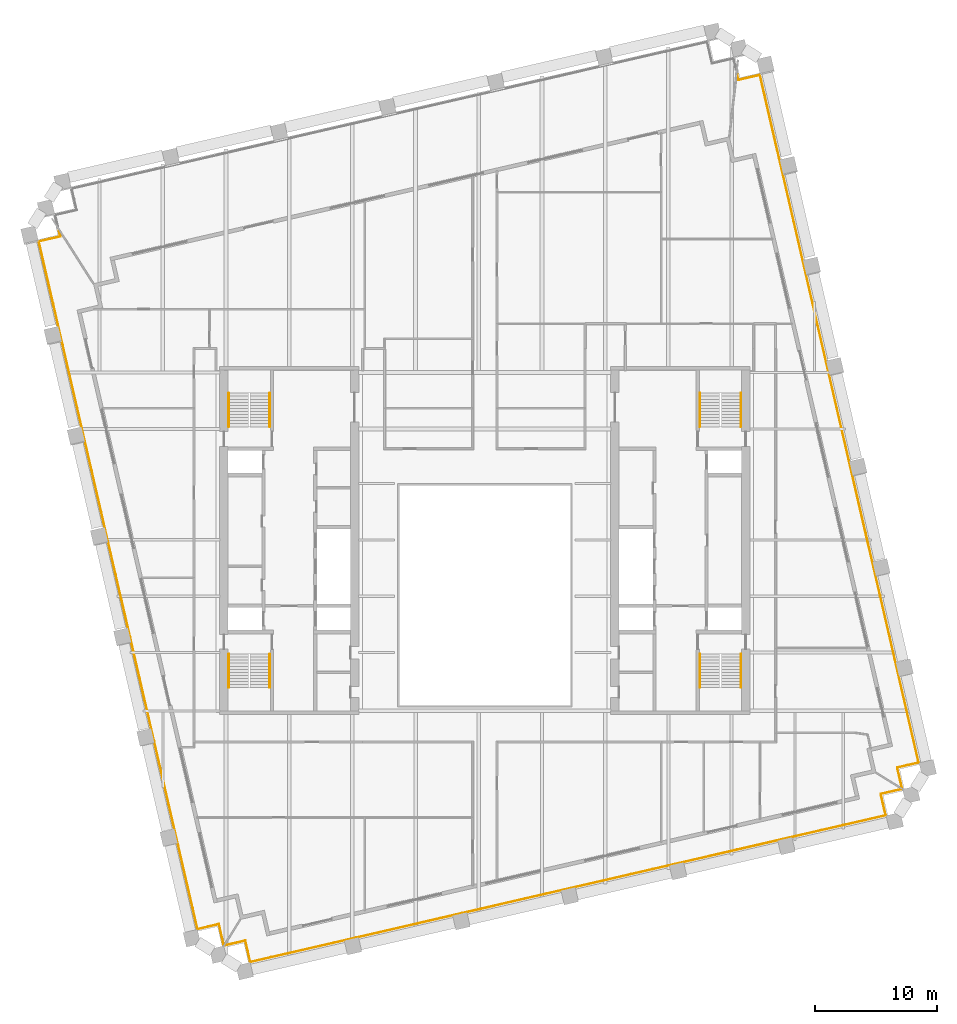
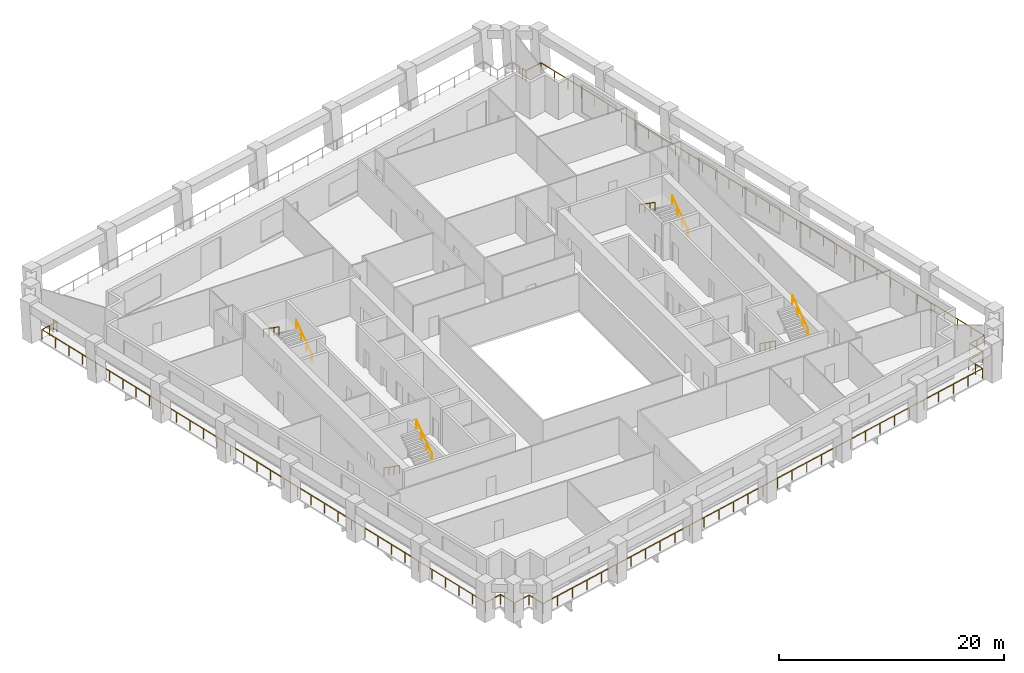
# One storey, part 10 of 11: 11 railings.
"""IFC4 building model written with IfcOpenShell, lengths in metres."""

from ifc_helpers import new_model, si_unit, direction, frame, origin, origin_2d, place, context, subcontext, project, spatial, circle, extrude, material, type_object, element, save


model = new_model("IFC4")

# Units and contexts
model_context = context("Model", 3, precision=1e-05, world=origin(), true_north=direction((0.0, 1.0)))
body_context = subcontext(model_context, "Body", "Model", "MODEL_VIEW")
ifc_project = project(units=[si_unit("LENGTHUNIT", "METRE"), si_unit("AREAUNIT", "SQUARE_METRE"), si_unit("VOLUMEUNIT", "CUBIC_METRE"), si_unit("PLANEANGLEUNIT", "RADIAN"), si_unit("MASSUNIT", "GRAM", prefix="KILO")], contexts=[model_context])

# Site, building, storey
site_placement = place(None, origin())
site = spatial("IfcSite", under=ifc_project, at=site_placement, CompositionType="ELEMENT")
building_placement = place(site_placement, origin())
building = spatial("IfcBuilding", under=site, at=building_placement, Name="Ogive Exchange Tower", CompositionType="ELEMENT")
storey_placement = place(building_placement, frame((0.0, 0.0, 217.800048828125)))
storey = spatial("IfcBuildingStorey", under=building, at=storey_placement, Name="L48", CompositionType="ELEMENT", Elevation=217.800048828125)

# Railings
ifc_material_1 = material(Name="Stainless steel 316", Category="steel")
railing_type_1 = type_object("IfcRailingType", Name="Guard 1100 stainless steel and glass", PredefinedType="GUARDRAIL", material=ifc_material_1)
railing_1_placement = place(storey_placement, frame((34.067138671875, -8.864013671875, -0.050048828125)))
element("IfcRailing", 1, at=railing_1_placement, inside=storey, type_object=railing_type_1, Name="Loggia guard 1", PredefinedType="GUARDRAIL", context=body_context, shape_type="SweptSolid", body=[
    extrude(circle(Radius=0.02392578125, at=origin_2d()), frame((0.0, 0.0, 1.076171875), z_axis=(-0.974364690374, -0.224974332206, 0.0), x_axis=(0.224974332206, -0.974364690374, 0.0)), (0.0, 0.0, 1.0), 1.7080078125),
    extrude(circle(Radius=0.02392578125, at=origin_2d()), frame((-1.664306640625, -0.38427734375, 1.076171875), z_axis=(0.224879318197, -0.974386623598, 0.0), x_axis=(0.974386623598, 0.224879318197, 0.0)), (0.0, 0.0, 1.0), 1.800048828125),
    extrude(circle(Radius=0.02392578125, at=origin_2d()), frame((-1.259521484375, -2.13818359375, 1.076171875), z_axis=(-0.97436998541, -0.224951398156, 0.0), x_axis=(0.224951398156, -0.97436998541, 0.0)), (0.0, 0.0, 1.0), 53.360107421875),
    extrude(circle(Radius=0.02392578125, at=origin_2d()), frame((-53.251953125, -14.1416015625, 1.076171875), z_axis=(-0.224879318197, 0.974386623598, 0.0), x_axis=(-0.974386623598, -0.224879318197, 0.0)), (0.0, 0.0, 1.0), 1.800048828125),
    extrude(circle(Radius=0.02392578125, at=origin_2d()), frame((-53.65673828125, -12.3876953125, 1.076171875), z_axis=(-0.974364690374, -0.224974332206, 0.0), x_axis=(0.224974332206, -0.974364690374, 0.0)), (0.0, 0.0, 1.0), 1.7080078125),
    extrude(circle(Radius=0.02099609375, at=origin_2d()), origin(), (0.0, 0.0, 1.0), 1.052001953125),
    extrude(circle(Radius=0.02099609375, at=origin_2d()), frame((-1.664306640625, -0.38427734375, 0.0)), (0.0, 0.0, 1.0), 1.052001953125),
    extrude(circle(Radius=0.02099609375, at=origin_2d()), frame((-1.4619140625, -1.26123046875, 0.0)), (0.0, 0.0, 1.0), 1.052001953125),
    extrude(circle(Radius=0.02099609375, at=origin_2d()), frame((-1.259521484375, -2.13818359375, 0.0)), (0.0, 0.0, 1.0), 1.052001953125),
    extrude(circle(Radius=0.02099609375, at=origin_2d()), frame((-2.99267578125, -2.538330078125, 0.0)), (0.0, 0.0, 1.0), 1.052001953125),
    extrude(circle(Radius=0.02099609375, at=origin_2d()), frame((-4.7255859375, -2.9384765625, 0.0)), (0.0, 0.0, 1.0), 1.052001953125),
    extrude(circle(Radius=0.02099609375, at=origin_2d()), frame((-6.458740234375, -3.338623046875, 0.0)), (0.0, 0.0, 1.0), 1.052001953125),
    extrude(circle(Radius=0.02099609375, at=origin_2d()), frame((-8.19189453125, -3.738525390625, 0.0)), (0.0, 0.0, 1.0), 1.052001953125),
    extrude(circle(Radius=0.02099609375, at=origin_2d()), frame((-9.9248046875, -4.138671875, 0.0)), (0.0, 0.0, 1.0), 1.052001953125),
    extrude(circle(Radius=0.02099609375, at=origin_2d()), frame((-11.657958984375, -4.538818359375, 0.0)), (0.0, 0.0, 1.0), 1.052001953125),
    extrude(circle(Radius=0.02099609375, at=origin_2d()), frame((-13.39111328125, -4.93896484375, 0.0)), (0.0, 0.0, 1.0), 1.052001953125),
    extrude(circle(Radius=0.02099609375, at=origin_2d()), frame((-15.124267578125, -5.339111328125, 0.0)), (0.0, 0.0, 1.0), 1.052001953125),
    extrude(circle(Radius=0.02099609375, at=origin_2d()), frame((-16.857177734375, -5.7392578125, 0.0)), (0.0, 0.0, 1.0), 1.052001953125),
    extrude(circle(Radius=0.02099609375, at=origin_2d()), frame((-18.59033203125, -6.139404296875, 0.0)), (0.0, 0.0, 1.0), 1.052001953125),
    extrude(circle(Radius=0.02099609375, at=origin_2d()), frame((-20.323486328125, -6.53955078125, 0.0)), (0.0, 0.0, 1.0), 1.052001953125),
    extrude(circle(Radius=0.02099609375, at=origin_2d()), frame((-22.056396484375, -6.939453125, 0.0)), (0.0, 0.0, 1.0), 1.052001953125),
    extrude(circle(Radius=0.02099609375, at=origin_2d()), frame((-23.78955078125, -7.339599609375, 0.0)), (0.0, 0.0, 1.0), 1.052001953125),
    extrude(circle(Radius=0.02099609375, at=origin_2d()), frame((-25.522705078125, -7.73974609375, 0.0)), (0.0, 0.0, 1.0), 1.052001953125),
    extrude(circle(Radius=0.02099609375, at=origin_2d()), frame((-27.255859375, -8.139892578125, 0.0)), (0.0, 0.0, 1.0), 1.052001953125),
    extrude(circle(Radius=0.02099609375, at=origin_2d()), frame((-28.98876953125, -8.5400390625, 0.0)), (0.0, 0.0, 1.0), 1.052001953125),
    extrude(circle(Radius=0.02099609375, at=origin_2d()), frame((-30.721923828125, -8.940185546875, 0.0)), (0.0, 0.0, 1.0), 1.052001953125),
    extrude(circle(Radius=0.02099609375, at=origin_2d()), frame((-32.455078125, -9.34033203125, 0.0)), (0.0, 0.0, 1.0), 1.052001953125),
    extrude(circle(Radius=0.02099609375, at=origin_2d()), frame((-34.18798828125, -9.740234375, 0.0)), (0.0, 0.0, 1.0), 1.052001953125),
    extrude(circle(Radius=0.02099609375, at=origin_2d()), frame((-35.921142578125, -10.140380859375, 0.0)), (0.0, 0.0, 1.0), 1.052001953125),
    extrude(circle(Radius=0.02099609375, at=origin_2d()), frame((-37.654296875, -10.54052734375, 0.0)), (0.0, 0.0, 1.0), 1.052001953125),
    extrude(circle(Radius=0.02099609375, at=origin_2d()), frame((-39.38720703125, -10.940673828125, 0.0)), (0.0, 0.0, 1.0), 1.052001953125),
    extrude(circle(Radius=0.02099609375, at=origin_2d()), frame((-41.120361328125, -11.3408203125, 0.0)), (0.0, 0.0, 1.0), 1.052001953125),
    extrude(circle(Radius=0.02099609375, at=origin_2d()), frame((-42.853515625, -11.740966796875, 0.0)), (0.0, 0.0, 1.0), 1.052001953125),
    extrude(circle(Radius=0.02099609375, at=origin_2d()), frame((-44.58642578125, -12.14111328125, 0.0)), (0.0, 0.0, 1.0), 1.052001953125),
    extrude(circle(Radius=0.02099609375, at=origin_2d()), frame((-46.319580078125, -12.541259765625, 0.0)), (0.0, 0.0, 1.0), 1.052001953125),
    extrude(circle(Radius=0.02099609375, at=origin_2d()), frame((-48.052734375, -12.941162109375, 0.0)), (0.0, 0.0, 1.0), 1.052001953125),
    extrude(circle(Radius=0.02099609375, at=origin_2d()), frame((-49.785888671875, -13.34130859375, 0.0)), (0.0, 0.0, 1.0), 1.052001953125),
    extrude(circle(Radius=0.02099609375, at=origin_2d()), frame((-51.518798828125, -13.741455078125, 0.0)), (0.0, 0.0, 1.0), 1.052001953125),
    extrude(circle(Radius=0.02099609375, at=origin_2d()), frame((-53.251953125, -14.1416015625, 0.0)), (0.0, 0.0, 1.0), 1.052001953125),
    extrude(circle(Radius=0.02099609375, at=origin_2d()), frame((-53.454345703125, -13.2646484375, 0.0)), (0.0, 0.0, 1.0), 1.052001953125),
    extrude(circle(Radius=0.02099609375, at=origin_2d()), frame((-53.65673828125, -12.3876953125, 0.0)), (0.0, 0.0, 1.0), 1.052001953125),
    extrude(circle(Radius=0.02099609375, at=origin_2d()), frame((-55.321044921875, -12.77197265625, 0.0)), (0.0, 0.0, 1.0), 1.052001953125),
])
railing_2_placement = place(storey_placement, frame((-21.364013671875, -21.567138671875, -0.050048828125)))
element("IfcRailing", 2, at=railing_2_placement, inside=storey, type_object=railing_type_1, Name="Loggia guard 2", PredefinedType="GUARDRAIL", context=body_context, shape_type="SweptSolid", body=[
    extrude(circle(Radius=0.02392578125, at=origin_2d()), frame((0.0, 0.0, 1.076171875), z_axis=(-0.224974332206, 0.974364690374, 0.0), x_axis=(-0.974364690374, -0.224974332206, 0.0)), (0.0, 0.0, 1.0), 1.7080078125),
    extrude(circle(Radius=0.02392578125, at=origin_2d()), frame((-0.38427734375, 1.664306640625, 1.076171875), z_axis=(-0.974386623598, -0.224879318197, 0.0), x_axis=(0.224879318197, -0.974386623598, 0.0)), (0.0, 0.0, 1.0), 1.800048828125),
    extrude(circle(Radius=0.02392578125, at=origin_2d()), frame((-2.13818359375, 1.259521484375, 1.076171875), z_axis=(-0.224953063668, 0.974369600894, 0.0), x_axis=(-0.974369600894, -0.224953063668, 0.0)), (0.0, 0.0, 1.0), 57.746337890625),
    extrude(circle(Radius=0.02392578125, at=origin_2d()), frame((-15.12841796875, 57.52587890625, 1.076171875), z_axis=(0.974356896201, 0.225008086135, 0.0), x_axis=(-0.225008086135, 0.974356896201, 0.0)), (0.0, 0.0, 1.0), 1.800048828125),
    extrude(circle(Radius=0.02392578125, at=origin_2d()), frame((-13.37451171875, 57.930908203125, 1.076171875), z_axis=(-0.225086243824, 0.974338843956, 0.0), x_axis=(-0.974338843956, -0.225086243824, 0.0)), (0.0, 0.0, 1.0), 0.471923828125),
    extrude(circle(Radius=0.02099609375, at=origin_2d()), origin(), (0.0, 0.0, 1.0), 1.052001953125),
    extrude(circle(Radius=0.02099609375, at=origin_2d()), frame((-0.38427734375, 1.664306640625, 0.0)), (0.0, 0.0, 1.0), 1.052001953125),
    extrude(circle(Radius=0.02099609375, at=origin_2d()), frame((-1.26123046875, 1.4619140625, 0.0)), (0.0, 0.0, 1.0), 1.052001953125),
    extrude(circle(Radius=0.02099609375, at=origin_2d()), frame((-2.13818359375, 1.259521484375, 0.0)), (0.0, 0.0, 1.0), 1.052001953125),
    extrude(circle(Radius=0.02099609375, at=origin_2d()), frame((-2.53173828125, 2.964599609375, 0.0)), (0.0, 0.0, 1.0), 1.052001953125),
    extrude(circle(Radius=0.02099609375, at=origin_2d()), frame((-2.925537109375, 4.669677734375, 0.0)), (0.0, 0.0, 1.0), 1.052001953125),
    extrude(circle(Radius=0.02099609375, at=origin_2d()), frame((-3.319091796875, 6.374755859375, 0.0)), (0.0, 0.0, 1.0), 1.052001953125),
    extrude(circle(Radius=0.02099609375, at=origin_2d()), frame((-3.712646484375, 8.07958984375, 0.0)), (0.0, 0.0, 1.0), 1.052001953125),
    extrude(circle(Radius=0.02099609375, at=origin_2d()), frame((-4.1064453125, 9.78466796875, 0.0)), (0.0, 0.0, 1.0), 1.052001953125),
    extrude(circle(Radius=0.02099609375, at=origin_2d()), frame((-4.5, 11.48974609375, 0.0)), (0.0, 0.0, 1.0), 1.052001953125),
    extrude(circle(Radius=0.02099609375, at=origin_2d()), frame((-4.893798828125, 13.19482421875, 0.0)), (0.0, 0.0, 1.0), 1.052001953125),
    extrude(circle(Radius=0.02099609375, at=origin_2d()), frame((-5.287353515625, 14.89990234375, 0.0)), (0.0, 0.0, 1.0), 1.052001953125),
    extrude(circle(Radius=0.02099609375, at=origin_2d()), frame((-5.680908203125, 16.60498046875, 0.0)), (0.0, 0.0, 1.0), 1.052001953125),
    extrude(circle(Radius=0.02099609375, at=origin_2d()), frame((-6.07470703125, 18.309814453125, 0.0)), (0.0, 0.0, 1.0), 1.052001953125),
    extrude(circle(Radius=0.02099609375, at=origin_2d()), frame((-6.46826171875, 20.014892578125, 0.0)), (0.0, 0.0, 1.0), 1.052001953125),
    extrude(circle(Radius=0.02099609375, at=origin_2d()), frame((-6.86181640625, 21.719970703125, 0.0)), (0.0, 0.0, 1.0), 1.052001953125),
    extrude(circle(Radius=0.02099609375, at=origin_2d()), frame((-7.255615234375, 23.425048828125, 0.0)), (0.0, 0.0, 1.0), 1.052001953125),
    extrude(circle(Radius=0.02099609375, at=origin_2d()), frame((-7.649169921875, 25.130126953125, 0.0)), (0.0, 0.0, 1.0), 1.052001953125),
    extrude(circle(Radius=0.02099609375, at=origin_2d()), frame((-8.042724609375, 26.835205078125, 0.0)), (0.0, 0.0, 1.0), 1.052001953125),
    extrude(circle(Radius=0.02099609375, at=origin_2d()), frame((-8.4365234375, 28.540283203125, 0.0)), (0.0, 0.0, 1.0), 1.052001953125),
    extrude(circle(Radius=0.02099609375, at=origin_2d()), frame((-8.830078125, 30.2451171875, 0.0)), (0.0, 0.0, 1.0), 1.052001953125),
    extrude(circle(Radius=0.02099609375, at=origin_2d()), frame((-9.223876953125, 31.9501953125, 0.0)), (0.0, 0.0, 1.0), 1.052001953125),
    extrude(circle(Radius=0.02099609375, at=origin_2d()), frame((-9.617431640625, 33.6552734375, 0.0)), (0.0, 0.0, 1.0), 1.052001953125),
    extrude(circle(Radius=0.02099609375, at=origin_2d()), frame((-10.010986328125, 35.3603515625, 0.0)), (0.0, 0.0, 1.0), 1.052001953125),
    extrude(circle(Radius=0.02099609375, at=origin_2d()), frame((-10.40478515625, 37.0654296875, 0.0)), (0.0, 0.0, 1.0), 1.052001953125),
    extrude(circle(Radius=0.02099609375, at=origin_2d()), frame((-10.79833984375, 38.7705078125, 0.0)), (0.0, 0.0, 1.0), 1.052001953125),
    extrude(circle(Radius=0.02099609375, at=origin_2d()), frame((-11.19189453125, 40.4755859375, 0.0)), (0.0, 0.0, 1.0), 1.052001953125),
    extrude(circle(Radius=0.02099609375, at=origin_2d()), frame((-11.585693359375, 42.180419921875, 0.0)), (0.0, 0.0, 1.0), 1.052001953125),
    extrude(circle(Radius=0.02099609375, at=origin_2d()), frame((-11.979248046875, 43.885498046875, 0.0)), (0.0, 0.0, 1.0), 1.052001953125),
    extrude(circle(Radius=0.02099609375, at=origin_2d()), frame((-12.372802734375, 45.590576171875, 0.0)), (0.0, 0.0, 1.0), 1.052001953125),
    extrude(circle(Radius=0.02099609375, at=origin_2d()), frame((-12.7666015625, 47.295654296875, 0.0)), (0.0, 0.0, 1.0), 1.052001953125),
    extrude(circle(Radius=0.02099609375, at=origin_2d()), frame((-13.16015625, 49.000732421875, 0.0)), (0.0, 0.0, 1.0), 1.052001953125),
    extrude(circle(Radius=0.02099609375, at=origin_2d()), frame((-13.553955078125, 50.705810546875, 0.0)), (0.0, 0.0, 1.0), 1.052001953125),
    extrude(circle(Radius=0.02099609375, at=origin_2d()), frame((-13.947509765625, 52.41064453125, 0.0)), (0.0, 0.0, 1.0), 1.052001953125),
    extrude(circle(Radius=0.02099609375, at=origin_2d()), frame((-14.341064453125, 54.11572265625, 0.0)), (0.0, 0.0, 1.0), 1.052001953125),
    extrude(circle(Radius=0.02099609375, at=origin_2d()), frame((-14.73486328125, 55.82080078125, 0.0)), (0.0, 0.0, 1.0), 1.052001953125),
    extrude(circle(Radius=0.02099609375, at=origin_2d()), frame((-15.12841796875, 57.52587890625, 0.0)), (0.0, 0.0, 1.0), 1.052001953125),
    extrude(circle(Radius=0.02099609375, at=origin_2d()), frame((-14.25146484375, 57.728515625, 0.0)), (0.0, 0.0, 1.0), 1.052001953125),
    extrude(circle(Radius=0.02099609375, at=origin_2d()), frame((-13.37451171875, 57.930908203125, 0.0)), (0.0, 0.0, 1.0), 1.052001953125),
    extrude(circle(Radius=0.02099609375, at=origin_2d()), frame((-13.480712890625, 58.390625, 0.0)), (0.0, 0.0, 1.0), 1.052001953125),
])
railing_3_placement = place(storey_placement, frame((20.655517578125, 49.63671875, -0.050048828125)))
element("IfcRailing", 3, at=railing_3_placement, inside=storey, type_object=railing_type_1, Name="Loggia guard 4", PredefinedType="GUARDRAIL", context=body_context, shape_type="SweptSolid", body=[
    extrude(circle(Radius=0.02392578125, at=origin_2d()), frame((0.0, 0.0, 1.076171875), z_axis=(0.225086243824, -0.974338843956, 0.0), x_axis=(0.974338843956, 0.225086243824, 0.0)), (0.0, 0.0, 1.0), 0.471923828125),
    extrude(circle(Radius=0.02392578125, at=origin_2d()), frame((0.106201171875, -0.459716796875, 1.076171875), z_axis=(0.974379763188, 0.224909041816, 0.0), x_axis=(-0.224909041816, 0.974379763188, 0.0)), (0.0, 0.0, 1.0), 1.7998046875),
    extrude(circle(Radius=0.02392578125, at=origin_2d()), frame((1.85986328125, -0.054931640625, 1.076171875), z_axis=(0.22495213699, -0.974369814836, 0.0), x_axis=(0.974369814836, 0.22495213699, 0.0)), (0.0, 0.0, 1.0), 57.74658203125),
    extrude(circle(Radius=0.02392578125, at=origin_2d()), frame((14.85009765625, -56.321533203125, 1.076171875), z_axis=(-0.974386623598, -0.224879318197, 0.0), x_axis=(0.224879318197, -0.974386623598, 0.0)), (0.0, 0.0, 1.0), 1.800048828125),
    extrude(circle(Radius=0.02392578125, at=origin_2d()), frame((13.09619140625, -56.726318359375, 1.076171875), z_axis=(0.224974332206, -0.974364690374, 0.0), x_axis=(0.974364690374, 0.224974332206, 0.0)), (0.0, 0.0, 1.0), 1.7080078125),
    extrude(circle(Radius=0.02099609375, at=origin_2d()), origin(), (0.0, 0.0, 1.0), 1.052001953125),
    extrude(circle(Radius=0.02099609375, at=origin_2d()), frame((0.106201171875, -0.459716796875, 0.0)), (0.0, 0.0, 1.0), 1.052001953125),
    extrude(circle(Radius=0.02099609375, at=origin_2d()), frame((1.85986328125, -0.054931640625, 0.0)), (0.0, 0.0, 1.0), 1.052001953125),
    extrude(circle(Radius=0.02099609375, at=origin_2d()), frame((2.25341796875, -1.760009765625, 0.0)), (0.0, 0.0, 1.0), 1.052001953125),
    extrude(circle(Radius=0.02099609375, at=origin_2d()), frame((2.647216796875, -3.465087890625, 0.0)), (0.0, 0.0, 1.0), 1.052001953125),
    extrude(circle(Radius=0.02099609375, at=origin_2d()), frame((3.040771484375, -5.170166015625, 0.0)), (0.0, 0.0, 1.0), 1.052001953125),
    extrude(circle(Radius=0.02099609375, at=origin_2d()), frame((3.434326171875, -6.875244140625, 0.0)), (0.0, 0.0, 1.0), 1.052001953125),
    extrude(circle(Radius=0.02099609375, at=origin_2d()), frame((3.828125, -8.580078125, 0.0)), (0.0, 0.0, 1.0), 1.052001953125),
    extrude(circle(Radius=0.02099609375, at=origin_2d()), frame((4.2216796875, -10.28515625, 0.0)), (0.0, 0.0, 1.0), 1.052001953125),
    extrude(circle(Radius=0.02099609375, at=origin_2d()), frame((4.615478515625, -11.990234375, 0.0)), (0.0, 0.0, 1.0), 1.052001953125),
    extrude(circle(Radius=0.02099609375, at=origin_2d()), frame((5.009033203125, -13.6953125, 0.0)), (0.0, 0.0, 1.0), 1.052001953125),
    extrude(circle(Radius=0.02099609375, at=origin_2d()), frame((5.402587890625, -15.400390625, 0.0)), (0.0, 0.0, 1.0), 1.052001953125),
    extrude(circle(Radius=0.02099609375, at=origin_2d()), frame((5.79638671875, -17.10546875, 0.0)), (0.0, 0.0, 1.0), 1.052001953125),
    extrude(circle(Radius=0.02099609375, at=origin_2d()), frame((6.18994140625, -18.810546875, 0.0)), (0.0, 0.0, 1.0), 1.052001953125),
    extrude(circle(Radius=0.02099609375, at=origin_2d()), frame((6.58349609375, -20.515625, 0.0)), (0.0, 0.0, 1.0), 1.052001953125),
    extrude(circle(Radius=0.02099609375, at=origin_2d()), frame((6.977294921875, -22.220458984375, 0.0)), (0.0, 0.0, 1.0), 1.052001953125),
    extrude(circle(Radius=0.02099609375, at=origin_2d()), frame((7.370849609375, -23.925537109375, 0.0)), (0.0, 0.0, 1.0), 1.052001953125),
    extrude(circle(Radius=0.02099609375, at=origin_2d()), frame((7.764404296875, -25.630615234375, 0.0)), (0.0, 0.0, 1.0), 1.052001953125),
    extrude(circle(Radius=0.02099609375, at=origin_2d()), frame((8.158203125, -27.335693359375, 0.0)), (0.0, 0.0, 1.0), 1.052001953125),
    extrude(circle(Radius=0.02099609375, at=origin_2d()), frame((8.5517578125, -29.040771484375, 0.0)), (0.0, 0.0, 1.0), 1.052001953125),
    extrude(circle(Radius=0.02099609375, at=origin_2d()), frame((8.945556640625, -30.745849609375, 0.0)), (0.0, 0.0, 1.0), 1.052001953125),
    extrude(circle(Radius=0.02099609375, at=origin_2d()), frame((9.339111328125, -32.450927734375, 0.0)), (0.0, 0.0, 1.0), 1.052001953125),
    extrude(circle(Radius=0.02099609375, at=origin_2d()), frame((9.732666015625, -34.156005859375, 0.0)), (0.0, 0.0, 1.0), 1.052001953125),
    extrude(circle(Radius=0.02099609375, at=origin_2d()), frame((10.12646484375, -35.86083984375, 0.0)), (0.0, 0.0, 1.0), 1.052001953125),
    extrude(circle(Radius=0.02099609375, at=origin_2d()), frame((10.52001953125, -37.56591796875, 0.0)), (0.0, 0.0, 1.0), 1.052001953125),
    extrude(circle(Radius=0.02099609375, at=origin_2d()), frame((10.91357421875, -39.27099609375, 0.0)), (0.0, 0.0, 1.0), 1.052001953125),
    extrude(circle(Radius=0.02099609375, at=origin_2d()), frame((11.307373046875, -40.97607421875, 0.0)), (0.0, 0.0, 1.0), 1.052001953125),
    extrude(circle(Radius=0.02099609375, at=origin_2d()), frame((11.700927734375, -42.68115234375, 0.0)), (0.0, 0.0, 1.0), 1.052001953125),
    extrude(circle(Radius=0.02099609375, at=origin_2d()), frame((12.094482421875, -44.38623046875, 0.0)), (0.0, 0.0, 1.0), 1.052001953125),
    extrude(circle(Radius=0.02099609375, at=origin_2d()), frame((12.48828125, -46.09130859375, 0.0)), (0.0, 0.0, 1.0), 1.052001953125),
    extrude(circle(Radius=0.02099609375, at=origin_2d()), frame((12.8818359375, -47.79638671875, 0.0)), (0.0, 0.0, 1.0), 1.052001953125),
    extrude(circle(Radius=0.02099609375, at=origin_2d()), frame((13.275634765625, -49.501220703125, 0.0)), (0.0, 0.0, 1.0), 1.052001953125),
    extrude(circle(Radius=0.02099609375, at=origin_2d()), frame((13.669189453125, -51.206298828125, 0.0)), (0.0, 0.0, 1.0), 1.052001953125),
    extrude(circle(Radius=0.02099609375, at=origin_2d()), frame((14.062744140625, -52.911376953125, 0.0)), (0.0, 0.0, 1.0), 1.052001953125),
    extrude(circle(Radius=0.02099609375, at=origin_2d()), frame((14.45654296875, -54.616455078125, 0.0)), (0.0, 0.0, 1.0), 1.052001953125),
    extrude(circle(Radius=0.02099609375, at=origin_2d()), frame((14.85009765625, -56.321533203125, 0.0)), (0.0, 0.0, 1.0), 1.052001953125),
    extrude(circle(Radius=0.02099609375, at=origin_2d()), frame((13.97314453125, -56.52392578125, 0.0)), (0.0, 0.0, 1.0), 1.052001953125),
    extrude(circle(Radius=0.02099609375, at=origin_2d()), frame((13.09619140625, -56.726318359375, 0.0)), (0.0, 0.0, 1.0), 1.052001953125),
    extrude(circle(Radius=0.02099609375, at=origin_2d()), frame((13.48046875, -58.390625, 0.0)), (0.0, 0.0, 1.0), 1.052001953125),
])
ifc_material_2 = material(Name="Stainless steel", Category="steel")
railing_type_2 = type_object("IfcRailingType", Name="Stair handrail 900", PredefinedType="HANDRAIL", material=ifc_material_2)
railing_4_placement = place(storey_placement, frame((-20.949951171875, 2.199951171875, 0.175048828125)))
element("IfcRailing", 4, at=railing_4_placement, inside=storey, type_object=railing_type_2, Name="L48 ST1 stair handrail 1", PredefinedType="HANDRAIL", context=body_context, shape_type="SweptSolid", body=[
    extrude(circle(Radius=0.02392578125, at=origin_2d()), frame((0.0, 0.0, 0.8759765625), z_axis=(0.0, -0.819259255306, 0.573423292687), x_axis=(1.0, 0.0, 0.0)), (0.0, 0.0, 1.0), 3.356689453125),
    extrude(circle(Radius=0.02099609375, at=origin_2d()), origin(), (0.0, 0.0, 1.0), 0.851806640625),
    extrude(circle(Radius=0.02099609375, at=origin_2d()), frame((0.0, -0.916748046875, 0.6416015625)), (0.0, 0.0, 1.0), 0.851806640625),
    extrude(circle(Radius=0.02099609375, at=origin_2d()), frame((0.0, -1.833251953125, 1.283203125)), (0.0, 0.0, 1.0), 0.851806640625),
    extrude(circle(Radius=0.02099609375, at=origin_2d()), frame((0.0, -2.75, 1.9248046875)), (0.0, 0.0, 1.0), 0.851806640625),
])
railing_5_placement = place(storey_placement, frame((-17.60009765625, -0.550048828125, 2.27490234375)))
element("IfcRailing", 5, at=railing_5_placement, inside=storey, type_object=railing_type_2, Name="L48 ST1 stair handrail 2", PredefinedType="HANDRAIL", context=body_context, shape_type="SweptSolid", body=[
    extrude(circle(Radius=0.02392578125, at=origin_2d()), frame((0.0, 0.0, 0.8759765625), z_axis=(0.0, 0.819225086817, 0.573472106672), x_axis=(-1.0, 0.0, 0.0)), (0.0, 0.0, 1.0), 3.35693359375),
    extrude(circle(Radius=0.02099609375, at=origin_2d()), origin(), (0.0, 0.0, 1.0), 0.851806640625),
    extrude(circle(Radius=0.02099609375, at=origin_2d()), frame((0.0, 0.916748046875, 0.6416015625)), (0.0, 0.0, 1.0), 0.851806640625),
    extrude(circle(Radius=0.02099609375, at=origin_2d()), frame((0.0, 1.833251953125, 1.283447265625)), (0.0, 0.0, 1.0), 0.851806640625),
    extrude(circle(Radius=0.02099609375, at=origin_2d()), frame((0.0, 2.75, 1.925048828125)), (0.0, 0.0, 1.0), 0.851806640625),
])
railing_6_placement = place(storey_placement, frame((-17.60009765625, 20.800048828125, 0.175048828125)))
element("IfcRailing", 6, at=railing_6_placement, inside=storey, type_object=railing_type_2, Name="L48 ST2 stair handrail 1", PredefinedType="HANDRAIL", context=body_context, shape_type="SweptSolid", body=[
    extrude(circle(Radius=0.02392578125, at=origin_2d()), frame((0.0, 0.0, 0.8759765625), z_axis=(0.0, 0.819259255306, 0.573423292687), x_axis=(-1.0, 0.0, 0.0)), (0.0, 0.0, 1.0), 3.356689453125),
    extrude(circle(Radius=0.02099609375, at=origin_2d()), origin(), (0.0, 0.0, 1.0), 0.851806640625),
    extrude(circle(Radius=0.02099609375, at=origin_2d()), frame((0.0, 0.916748046875, 0.6416015625)), (0.0, 0.0, 1.0), 0.851806640625),
    extrude(circle(Radius=0.02099609375, at=origin_2d()), frame((0.0, 1.833251953125, 1.283203125)), (0.0, 0.0, 1.0), 0.851806640625),
    extrude(circle(Radius=0.02099609375, at=origin_2d()), frame((0.0, 2.75, 1.9248046875)), (0.0, 0.0, 1.0), 0.851806640625),
])
railing_7_placement = place(storey_placement, frame((-20.949951171875, 23.550048828125, 2.27490234375)))
element("IfcRailing", 7, at=railing_7_placement, inside=storey, type_object=railing_type_2, Name="L48 ST2 stair handrail 2", PredefinedType="HANDRAIL", context=body_context, shape_type="SweptSolid", body=[
    extrude(circle(Radius=0.02392578125, at=origin_2d()), frame((0.0, 0.0, 0.8759765625), z_axis=(0.0, -0.819225086817, 0.573472106672), x_axis=(1.0, 0.0, 0.0)), (0.0, 0.0, 1.0), 3.35693359375),
    extrude(circle(Radius=0.02099609375, at=origin_2d()), origin(), (0.0, 0.0, 1.0), 0.851806640625),
    extrude(circle(Radius=0.02099609375, at=origin_2d()), frame((0.0, -0.916748046875, 0.6416015625)), (0.0, 0.0, 1.0), 0.851806640625),
    extrude(circle(Radius=0.02099609375, at=origin_2d()), frame((0.0, -1.833251953125, 1.283447265625)), (0.0, 0.0, 1.0), 0.851806640625),
    extrude(circle(Radius=0.02099609375, at=origin_2d()), frame((0.0, -2.75, 1.925048828125)), (0.0, 0.0, 1.0), 0.851806640625),
])
railing_8_placement = place(storey_placement, frame((17.60009765625, 2.199951171875, 0.175048828125)))
element("IfcRailing", 8, at=railing_8_placement, inside=storey, type_object=railing_type_2, Name="L48 ST3 stair handrail 1", PredefinedType="HANDRAIL", context=body_context, shape_type="SweptSolid", body=[
    extrude(circle(Radius=0.02392578125, at=origin_2d()), frame((0.0, 0.0, 0.8759765625), z_axis=(0.0, -0.819259255306, 0.573423292687), x_axis=(1.0, 0.0, 0.0)), (0.0, 0.0, 1.0), 3.356689453125),
    extrude(circle(Radius=0.02099609375, at=origin_2d()), origin(), (0.0, 0.0, 1.0), 0.851806640625),
    extrude(circle(Radius=0.02099609375, at=origin_2d()), frame((0.0, -0.916748046875, 0.6416015625)), (0.0, 0.0, 1.0), 0.851806640625),
    extrude(circle(Radius=0.02099609375, at=origin_2d()), frame((0.0, -1.833251953125, 1.283203125)), (0.0, 0.0, 1.0), 0.851806640625),
    extrude(circle(Radius=0.02099609375, at=origin_2d()), frame((0.0, -2.75, 1.9248046875)), (0.0, 0.0, 1.0), 0.851806640625),
])
railing_9_placement = place(storey_placement, frame((20.949951171875, -0.550048828125, 2.27490234375)))
element("IfcRailing", 9, at=railing_9_placement, inside=storey, type_object=railing_type_2, Name="L48 ST3 stair handrail 2", PredefinedType="HANDRAIL", context=body_context, shape_type="SweptSolid", body=[
    extrude(circle(Radius=0.02392578125, at=origin_2d()), frame((0.0, 0.0, 0.8759765625), z_axis=(0.0, 0.819225086817, 0.573472106672), x_axis=(-1.0, 0.0, 0.0)), (0.0, 0.0, 1.0), 3.35693359375),
    extrude(circle(Radius=0.02099609375, at=origin_2d()), origin(), (0.0, 0.0, 1.0), 0.851806640625),
    extrude(circle(Radius=0.02099609375, at=origin_2d()), frame((0.0, 0.916748046875, 0.6416015625)), (0.0, 0.0, 1.0), 0.851806640625),
    extrude(circle(Radius=0.02099609375, at=origin_2d()), frame((0.0, 1.833251953125, 1.283447265625)), (0.0, 0.0, 1.0), 0.851806640625),
    extrude(circle(Radius=0.02099609375, at=origin_2d()), frame((0.0, 2.75, 1.925048828125)), (0.0, 0.0, 1.0), 0.851806640625),
])
railing_10_placement = place(storey_placement, frame((20.949951171875, 20.800048828125, 0.175048828125)))
element("IfcRailing", 10, at=railing_10_placement, inside=storey, type_object=railing_type_2, Name="L48 ST4 stair handrail 1", PredefinedType="HANDRAIL", context=body_context, shape_type="SweptSolid", body=[
    extrude(circle(Radius=0.02392578125, at=origin_2d()), frame((0.0, 0.0, 0.8759765625), z_axis=(0.0, 0.819259255306, 0.573423292687), x_axis=(-1.0, 0.0, 0.0)), (0.0, 0.0, 1.0), 3.356689453125),
    extrude(circle(Radius=0.02099609375, at=origin_2d()), origin(), (0.0, 0.0, 1.0), 0.851806640625),
    extrude(circle(Radius=0.02099609375, at=origin_2d()), frame((0.0, 0.916748046875, 0.6416015625)), (0.0, 0.0, 1.0), 0.851806640625),
    extrude(circle(Radius=0.02099609375, at=origin_2d()), frame((0.0, 1.833251953125, 1.283203125)), (0.0, 0.0, 1.0), 0.851806640625),
    extrude(circle(Radius=0.02099609375, at=origin_2d()), frame((0.0, 2.75, 1.9248046875)), (0.0, 0.0, 1.0), 0.851806640625),
])
railing_11_placement = place(storey_placement, frame((17.60009765625, 23.550048828125, 2.27490234375)))
element("IfcRailing", 11, at=railing_11_placement, inside=storey, type_object=railing_type_2, Name="L48 ST4 stair handrail 2", PredefinedType="HANDRAIL", context=body_context, shape_type="SweptSolid", body=[
    extrude(circle(Radius=0.02392578125, at=origin_2d()), frame((0.0, 0.0, 0.8759765625), z_axis=(0.0, -0.819225086817, 0.573472106672), x_axis=(1.0, 0.0, 0.0)), (0.0, 0.0, 1.0), 3.35693359375),
    extrude(circle(Radius=0.02099609375, at=origin_2d()), origin(), (0.0, 0.0, 1.0), 0.851806640625),
    extrude(circle(Radius=0.02099609375, at=origin_2d()), frame((0.0, -0.916748046875, 0.6416015625)), (0.0, 0.0, 1.0), 0.851806640625),
    extrude(circle(Radius=0.02099609375, at=origin_2d()), frame((0.0, -1.833251953125, 1.283447265625)), (0.0, 0.0, 1.0), 0.851806640625),
    extrude(circle(Radius=0.02099609375, at=origin_2d()), frame((0.0, -2.75, 1.925048828125)), (0.0, 0.0, 1.0), 0.851806640625),
])

save(model, "model.ifc")
